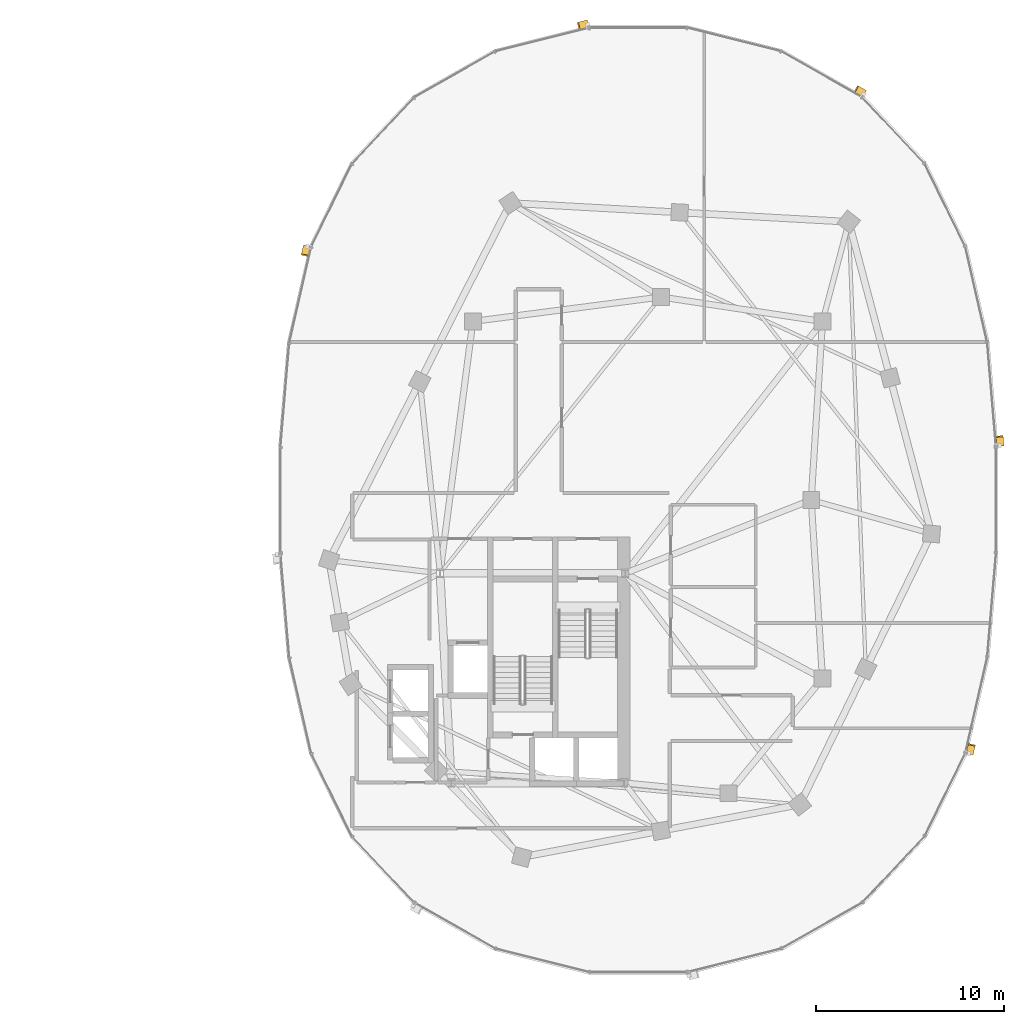
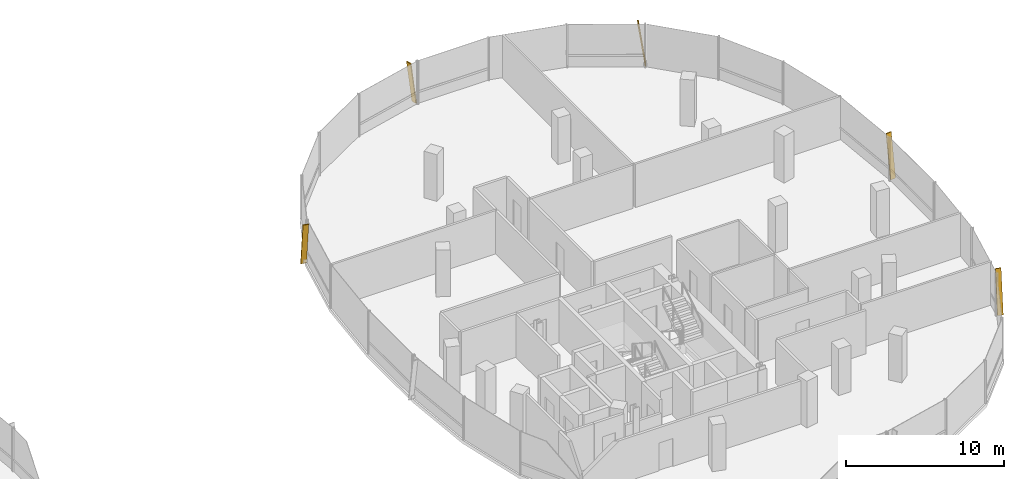
# One storey, part 25 of 25: 5 shading devices.
"""IFC4 building model written with IfcOpenShell, lengths in metres."""

from ifc_helpers import new_model, si_unit, direction, frame, origin, origin_2d, place, context, subcontext, project, spatial, rectangle, extrude, material, material_profile, profile_set, type_object, element, save


model = new_model("IFC4")

# Units and contexts
model_context = context("Model", 3, precision=1e-05, world=origin(), true_north=direction((0.0, 1.0)))
body_context = subcontext(model_context, "Body", "Model", "MODEL_VIEW")
ifc_project = project(units=[si_unit("LENGTHUNIT", "METRE"), si_unit("AREAUNIT", "SQUARE_METRE"), si_unit("VOLUMEUNIT", "CUBIC_METRE"), si_unit("PLANEANGLEUNIT", "RADIAN"), si_unit("MASSUNIT", "GRAM", prefix="KILO"), si_unit("THERMODYNAMICTEMPERATUREUNIT", "KELVIN"), si_unit("POWERUNIT", "WATT")], contexts=[model_context])

# Site, building, storey
site_placement = place(None, origin())
site = spatial("IfcSite", under=ifc_project, at=site_placement, CompositionType="ELEMENT")
building_placement = place(site_placement, origin())
building = spatial("IfcBuilding", under=site, at=building_placement, Name="Cundina Bronze Exchange", CompositionType="ELEMENT")
storey_placement = place(building_placement, frame((0.0, 0.0, 209.800048828125)))
storey = spatial("IfcBuildingStorey", under=building, at=storey_placement, Name="L55", CompositionType="ELEMENT", Elevation=209.800048828125)

# Shading devices
ifc_material = material(Name="Anodised Bronze Aluminium 6063-T6", Category="aluminium")
ifc_material_profile = material_profile(ifc_material, rectangle(XDim=0.070068359375, YDim=0.3798828125, at=origin_2d()), Name="FIN70X380", Category="aluminium")
ifc_profile_set = profile_set([ifc_material_profile], Name="Anodised Bronze Aluminium 6063-T6")
shading_device_type = type_object("IfcShadingDeviceType", Name="SHD-FIN-BRZ380", PredefinedType="USERDEFINED", material=ifc_profile_set)
for number, where, z_axis, x_axis, name in (
    (1, (51.264404296875, 2.90283203125, 0.02001953125), (-0.012006555776, 0.143419772964, 0.98958911238), (0.082555834947, -0.986139516224, 0.143921466983), "L55 Diagonal Bronze Solar Fin 1"),
    (2, (44.015625, 21.635498046875, 0.02001953125), (-0.125189514072, 0.071087145125, 0.989582843103), (0.860526986551, -0.488638423358, 0.143964567292), "L55 Diagonal Bronze Solar Fin 5"),
    (3, (29.294189453125, 25.344482421875, 0.02001953125), (-0.139611891367, -0.03514090606, 0.989582556693), (0.959650042543, 0.24154799183, 0.143966536007), "L55 Diagonal Bronze Solar Fin 1"),
    (4, (14.363037109375, 13.4931640625, 0.02001953125), (-0.032139238682, -0.140343782583, 0.989581068951), (0.220899412839, 0.964610875656, 0.14397676192), "L55 Diagonal Bronze Solar Fin 5"),
    (5, (49.636962890625, -13.4931640625, 0.02001953125), (0.032139238682, 0.140343782583, 0.989581068951), (-0.220899412839, -0.964610875656, 0.14397676192), "L55 Diagonal Bronze Solar Fin 5"),
):
    element("IfcShadingDevice", number, at=place(storey_placement, frame(where, z_axis=z_axis, x_axis=x_axis)), inside=storey, type_object=shading_device_type, Name=name, ObjectType="FIN", PredefinedType="USERDEFINED", context=body_context, shape_type="SweptSolid", body=[
        extrude(rectangle(XDim=0.070068359375, YDim=0.3798828125, at=origin_2d()), origin(), (0.0, 0.0, 1.0), 3.334716796875),
    ])

save(model, "model.ifc")
